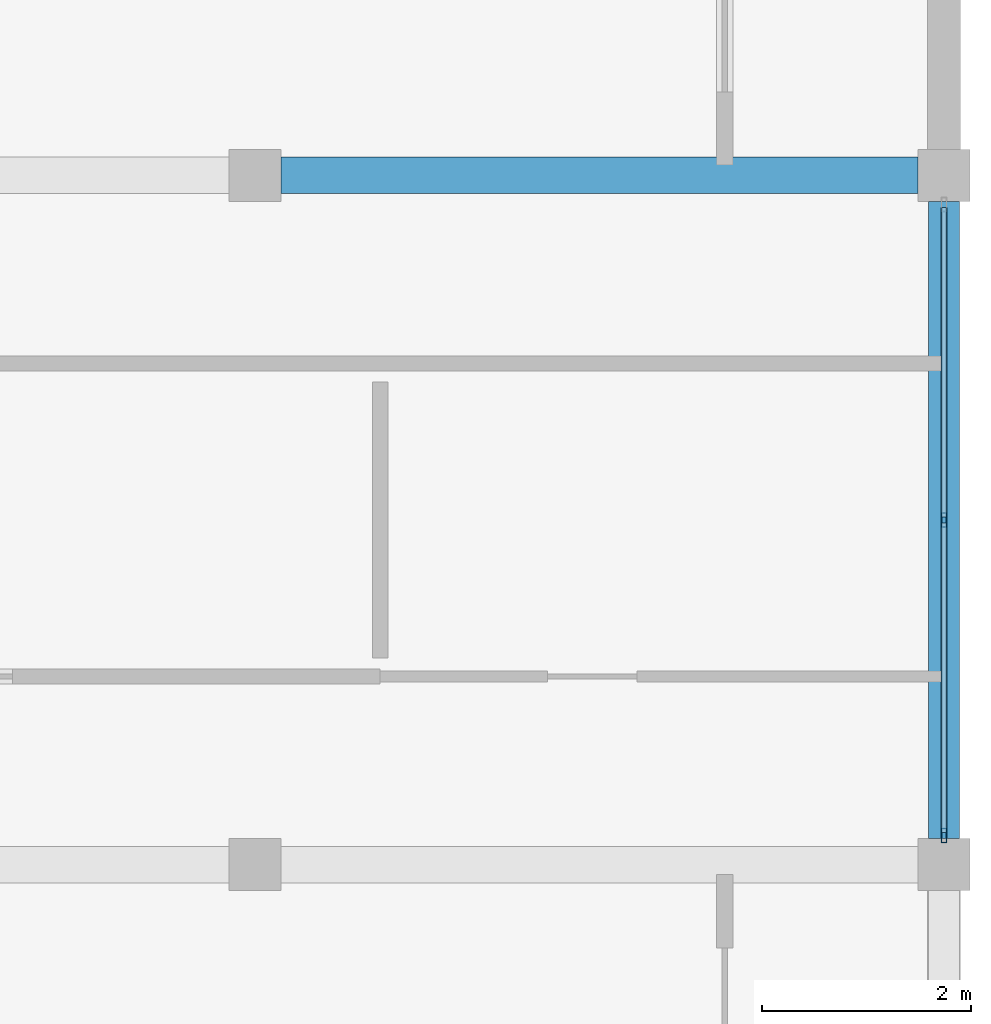
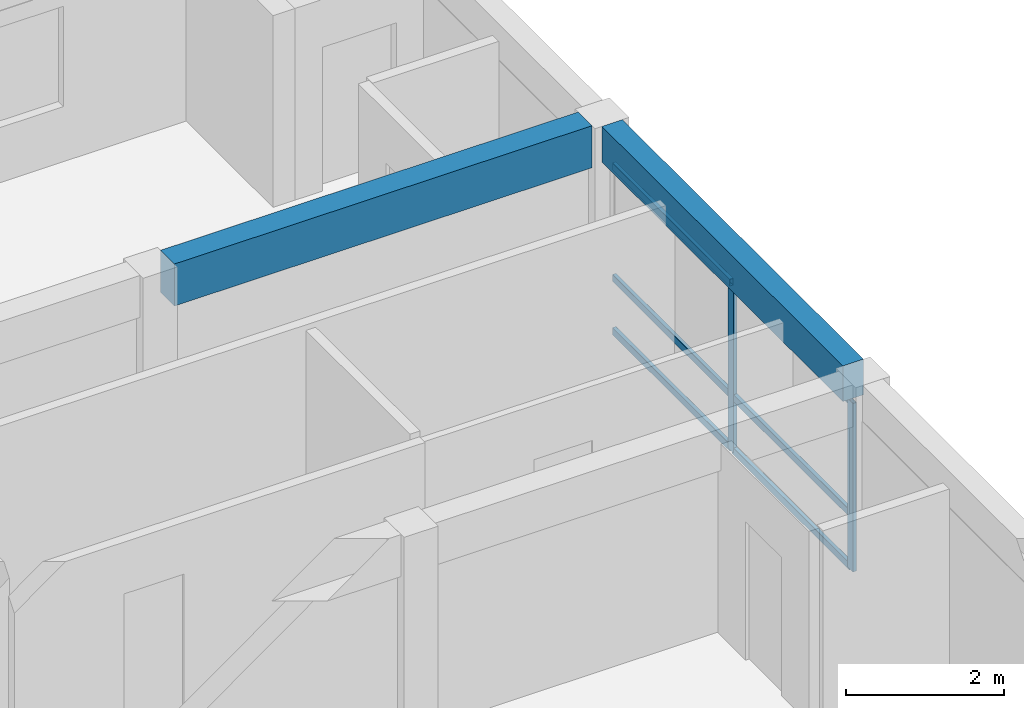
# One storey, part 23 of 53: 8 members, 2 beams, 1 element without a shape of its own.
"""IFC4 building model written with IfcOpenShell, lengths in metres."""

import ifcopenshell
import ifcopenshell.guid

model = None  # the IFC model being written
_history = None  # IfcOwnerHistory: only IFC2X3 demands one
_inside = {}  # id of a spatial element -> (the spatial element, [elements in it])
_under = {}  # id of a project, library or spatial element -> (it, [spatial elements below it])
_declared = {}  # id of a project -> (the project, [libraries it declares])
_typed = {}  # id of a type object -> (the type object, [elements of that type])
_made_of = {}  # id of a material, layer set ... -> (it, [elements and type objects made of it])


def new_model(schema):
    """Start an empty IFC model of exactly this schema.

    Asked for "IFC4X3", IfcOpenShell would pick the latest addendum, in which some entities
    have other attributes; the version numbers below select the first issue.
    IFC2X3 requires an IfcOwnerHistory on every rooted entity: one is made here for all.
    """
    global model, _history
    if schema == "IFC4X3":
        model = ifcopenshell.file(schema_version=(4, 3, 0, 0))
    else:
        model = ifcopenshell.file(schema=schema)
    _inside.clear()
    _under.clear()
    _declared.clear()
    _typed.clear()
    _made_of.clear()
    _history = None
    if model.schema == "IFC2X3":
        org = make("IfcOrganization", Name="unknown")
        user = make(
            "IfcPersonAndOrganization",
            ThePerson=make("IfcPerson", FamilyName="unknown"),
            TheOrganization=org,
        )
        app = make(
            "IfcApplication",
            ApplicationDeveloper=org,
            Version="unknown",
            ApplicationFullName="unknown",
            ApplicationIdentifier="unknown",
        )
        _history = make(
            "IfcOwnerHistory",
            OwningUser=user,
            OwningApplication=app,
            ChangeAction="ADDED",
            CreationDate=0,
        )
    return model


def make(cls, **values):
    """One entity of the class cls with the attributes given. An attribute that is None is left unset."""
    return model.create_entity(
        cls, **{name: value for name, value in values.items() if value is not None}
    )


def rooted(cls, **values):
    """An entity with a GlobalId (a new one), such as an element, a storey or a relation."""
    return make(cls, GlobalId=ifcopenshell.guid.new(), OwnerHistory=_history, **values)


def si_unit(unit_type, name, prefix=None):
    """IfcSIUnit, for example si_unit("LENGTHUNIT", "METRE", prefix="MILLI")."""
    return make("IfcSIUnit", UnitType=unit_type, Prefix=prefix, Name=name)


def assignment(units):
    """IfcUnitAssignment: the units of a project."""
    return None if units is None else make("IfcUnitAssignment", Units=units)


def point(xyz):
    """IfcCartesianPoint."""
    return None if xyz is None else make("IfcCartesianPoint", Coordinates=xyz)


def direction(xyz):
    """IfcDirection."""
    return None if xyz is None else make("IfcDirection", DirectionRatios=xyz)


def frame(location, z_axis=None, x_axis=None):
    """IfcAxis2Placement3D, a coordinate frame: its origin and axes. An axis left out is left unset."""
    return make(
        "IfcAxis2Placement3D",
        Location=point(location),
        Axis=direction(z_axis),
        RefDirection=direction(x_axis),
    )


def frame_2d(location, x_axis=None):
    """IfcAxis2Placement2D, a coordinate frame in the plane: its origin and x axis."""
    return make(
        "IfcAxis2Placement2D", Location=point(location), RefDirection=direction(x_axis)
    )


def origin():
    """The frame at (0, 0, 0) with its axes left unset."""
    return frame((0.0, 0.0, 0.0))


def origin_2d():
    """The frame at (0, 0) in the plane with its x axis left unset."""
    return frame_2d((0.0, 0.0))


def place(relative_to, where):
    """IfcLocalPlacement: puts the frame where relative to a parent placement (None: the world)."""
    return make(
        "IfcLocalPlacement", PlacementRelTo=relative_to, RelativePlacement=where
    )


def context(
    kind, dimensions, precision=None, world=None, true_north=None, identifier=None
):
    """IfcGeometricRepresentationContext, for example the 3D "Model" context."""
    return make(
        "IfcGeometricRepresentationContext",
        ContextIdentifier=identifier,
        ContextType=kind,
        CoordinateSpaceDimension=dimensions,
        Precision=precision,
        WorldCoordinateSystem=world,
        TrueNorth=true_north,
    )


def subcontext(parent, identifier, kind, view, scale=None):
    """IfcGeometricRepresentationSubContext, for example "Body" below "Model"."""
    return make(
        "IfcGeometricRepresentationSubContext",
        ContextIdentifier=identifier,
        ContextType=kind,
        ParentContext=parent,
        TargetScale=scale,
        TargetView=view,
    )


def project(units=None, contexts=None):
    """IfcProject with its units and contexts."""
    return rooted(
        "IfcProject",
        Name="project",
        RepresentationContexts=contexts,
        UnitsInContext=assignment(units),
    )


def spatial(cls, under=None, at=None, **own):
    """A site, building, storey or space (cls), placed at a placement, below another one or the project."""
    s = rooted(cls, ObjectPlacement=at, **own)
    if under is not None:
        _under.setdefault(under.id(), (under, []))[1].append(s)
    return s


def profile(cls, at=None, kind="AREA", **sizes):
    """A parametric profile (cls). Its sizes go by their IFC names, for example OverallWidth=200.0."""
    return make(cls, ProfileType=kind, Position=at, **sizes)


def rectangle(**sizes):
    """IfcRectangleProfileDef."""
    return profile("IfcRectangleProfileDef", **sizes)


def hollow_rectangle(**sizes):
    """IfcRectangleHollowProfileDef."""
    return profile("IfcRectangleHollowProfileDef", **sizes)


def extrude(swept, where, along, depth):
    """IfcExtrudedAreaSolid: the profile swept, set in the frame where, extruded along a direction by depth."""
    return make(
        "IfcExtrudedAreaSolid",
        SweptArea=swept,
        Position=where,
        ExtrudedDirection=direction(along),
        Depth=depth,
    )


def shape(context_of_items, identifier, shape_type, items):
    """IfcShapeRepresentation: the items that make up one representation, for example the "Body"."""
    return make(
        "IfcShapeRepresentation",
        ContextOfItems=context_of_items,
        RepresentationIdentifier=identifier,
        RepresentationType=shape_type,
        Items=items,
    )


def material(Name=None, Category=None):
    """IfcMaterial."""
    return make("IfcMaterial", Name=Name, Category=Category)


def material_profile(
    of_material, cross_section, Name=None, Category=None, Priority=None
):
    """IfcMaterialProfile: a cross section and its material."""
    return make(
        "IfcMaterialProfile",
        Name=Name,
        Material=of_material,
        Profile=cross_section,
        Priority=Priority,
        Category=Category,
    )


def profile_set(profiles, Name=None, composite=None):
    """IfcMaterialProfileSet."""
    return make(
        "IfcMaterialProfileSet",
        Name=Name,
        MaterialProfiles=profiles,
        CompositeProfile=composite,
    )


def made_of(thing, what):
    """Note that an element or type object is made of a material, layer set ...; save() writes the relation."""
    if what is not None:
        _made_of.setdefault(what.id(), (what, []))[1].append(thing)
    return thing


def type_object(cls, material=None, **own):
    """A type object (cls), such as IfcWallType, which elements share."""
    return made_of(rooted(cls, **own), material)


def element(
    cls,
    number,
    at=None,
    inside=None,
    cuts=None,
    type_object=None,
    material=None,
    context=None,
    identifier="Body",
    shape_type=None,
    held_by="IfcProductDefinitionShape",
    body=None,
    shapes=None,
    **own,
):
    """One element of the class cls, such as IfcWall. Its Tag is "e" and its number.

    at: its placement. inside: the storey or other place that contains it. cuts: it is an
    opening in that element (IfcRelVoidsElement). A single representation is given by context,
    identifier, shape_type and body (its items); several are given by shapes. held_by: the class
    of the entity that holds the representations. save() writes the other relations.
    """
    e = rooted(cls, Tag="e%d" % number, ObjectPlacement=at, **own)
    if body is not None:
        shapes = [shape(context, identifier, shape_type, body)]
    if shapes is not None:
        e.Representation = make(held_by, Representations=shapes)
    if inside is not None:
        _inside.setdefault(inside.id(), (inside, []))[1].append(e)
    if cuts is not None:
        rooted(
            "IfcRelVoidsElement", RelatingBuildingElement=cuts, RelatedOpeningElement=e
        )
    if type_object is not None:
        _typed.setdefault(type_object.id(), (type_object, []))[1].append(e)
    return made_of(e, material)


def aggregate(whole, parts):
    """IfcRelAggregates: a whole, such as a stair, and the parts it consists of."""
    return rooted("IfcRelAggregates", RelatingObject=whole, RelatedObjects=parts)


def save(model, path):
    """Write the relations noted so far, then the file.

    IfcRelAggregates (storeys below a building ...), IfcRelContainedInSpatialStructure (elements
    in a storey), IfcRelDefinesByType, IfcRelAssociatesMaterial and IfcRelDeclares: one each for
    every whole, place, type object, material and project.
    """
    for whole, parts in _under.values():
        aggregate(whole, parts)
    for where, things in _inside.values():
        rooted(
            "IfcRelContainedInSpatialStructure",
            RelatedElements=things,
            RelatingStructure=where,
        )
    for kind, things in _typed.values():
        rooted("IfcRelDefinesByType", RelatedObjects=things, RelatingType=kind)
    for what, things in _made_of.values():
        rooted("IfcRelAssociatesMaterial", RelatedObjects=things, RelatingMaterial=what)
    for by, libraries in _declared.values():
        rooted("IfcRelDeclares", RelatingContext=by, RelatedDefinitions=libraries)
    model.write(path)


model = new_model("IFC4")

# Units and contexts
model_context = context("Model", 3, precision=1e-05, world=origin(), true_north=direction((0.0, 1.0)))
body_context = subcontext(model_context, "Body", "Model", "MODEL_VIEW")
ifc_project = project(units=[si_unit("LENGTHUNIT", "METRE"), si_unit("AREAUNIT", "SQUARE_METRE"), si_unit("VOLUMEUNIT", "CUBIC_METRE"), si_unit("PLANEANGLEUNIT", "RADIAN"), si_unit("MASSUNIT", "GRAM", prefix="KILO")], contexts=[model_context])

# Site, building, storey
site_placement = place(None, origin())
site = spatial("IfcSite", under=ifc_project, at=site_placement, CompositionType="ELEMENT")
building_placement = place(site_placement, origin())
building = spatial("IfcBuilding", under=site, at=building_placement, Name="Kernevlak Ridge Housing Community", CompositionType="ELEMENT")
storey_placement = place(building_placement, frame((0.0, 0.0, 18.0)))
storey = spatial("IfcBuildingStorey", under=building, at=storey_placement, Name="L05", CompositionType="ELEMENT", Elevation=18.0)

# Beam
ifc_material_1 = material(Name="Concrete C35/45", Category="concrete")
ifc_material_profile_1 = material_profile(ifc_material_1, rectangle(XDim=0.35009765625, YDim=0.64990234375, at=origin_2d()), Name="RC 350x650")
ifc_profile_set_1 = profile_set([ifc_material_profile_1], Name="Concrete C35/45")
beam_type_1 = type_object("IfcBeamType", Name="B-02", PredefinedType="BEAM", material=ifc_profile_set_1)
beam_1_placement = place(storey_placement, frame((146.050048828125, 95.800048828125, 2.875), z_axis=(1.0, 0.0, 0.0), x_axis=(0.0, 1.0, 0.0)))
element("IfcBeam", 1, at=beam_1_placement, inside=storey, type_object=beam_type_1, Name="Beam B-02 L05 721", PredefinedType="BEAM", context=body_context, shape_type="SweptSolid", body=[
    extrude(rectangle(XDim=0.35009765625, YDim=0.64990234375, at=origin_2d()), origin(), (0.0, 0.0, 1.0), 6.099853515625),
])

# Curtain wall, members
ifc_material_2 = material(Name="Aluminium EN AW-6060 anodised and laminated glass", Category="aluminium")
curtain_wall_type = type_object("IfcCurtainWallType", Name="CW-13", PredefinedType="NOTDEFINED", material=ifc_material_2)
curtain_wall_placement = place(storey_placement, origin())
curtain_wall = element("IfcCurtainWall", 2, at=curtain_wall_placement, inside=storey, type_object=curtain_wall_type, Name="Curtain wall CW-13 CW-L05-072", PredefinedType="NOTDEFINED")
ifc_material_3 = material(Name="Aluminium EN AW-6060 anodised", Category="aluminium")
ifc_material_profile_2 = material_profile(ifc_material_3, hollow_rectangle(XDim=0.054931640625, YDim=0.139892578125, WallThickness=0.00390625, InnerFilletRadius=0.001953125, OuterFilletRadius=0.00390625, at=origin_2d()), Name="ALU 55x140x4")
ifc_profile_set_2 = profile_set([ifc_material_profile_2], Name="Aluminium EN AW-6060 anodised")
member_type_1 = type_object("IfcMemberType", Name="MU-01", PredefinedType="MULLION", material=ifc_profile_set_2)
member_1_placement = place(storey_placement, frame((152.39990234375, 89.4775390625, 0.0), z_axis=(0.0, 0.0, 1.0), x_axis=(-1.0, 0.0, 0.0)))
member_1 = element("IfcMember", 3, at=member_1_placement, type_object=member_type_1, Name="CW-13 mullion 1", PredefinedType="MULLION", context=body_context, shape_type="SweptSolid", body=[
    extrude(hollow_rectangle(XDim=0.054931640625, YDim=0.139892578125, WallThickness=0.00390625, InnerFilletRadius=0.001953125, OuterFilletRadius=0.00390625, at=origin_2d()), origin(), (0.0, 0.0, 1.0), 2.60009765625),
])
member_2_placement = place(storey_placement, frame((152.39990234375, 92.5, 0.0), z_axis=(0.0, 0.0, 1.0), x_axis=(-1.0, 0.0, 0.0)))
member_2 = element("IfcMember", 4, at=member_2_placement, type_object=member_type_1, Name="CW-13 mullion 2", PredefinedType="MULLION", context=body_context, shape_type="SweptSolid", body=[
    extrude(hollow_rectangle(XDim=0.054931640625, YDim=0.139892578125, WallThickness=0.00390625, InnerFilletRadius=0.001953125, OuterFilletRadius=0.00390625, at=origin_2d()), origin(), (0.0, 0.0, 1.0), 2.60009765625),
])

# Beam
ifc_material_profile_3 = material_profile(ifc_material_1, rectangle(XDim=0.300048828125, YDim=0.550048828125, at=origin_2d()), Name="RC 300x550")
ifc_profile_set_3 = profile_set([ifc_material_profile_3], Name="Concrete C35/45")
beam_type_2 = type_object("IfcBeamType", Name="SP-01", PredefinedType="SPANDREL", material=ifc_profile_set_3)
beam_2_placement = place(storey_placement, frame((152.39990234375, 89.449951171875, 2.925048828125), z_axis=(0.0, 1.0, 0.0), x_axis=(-1.0, 0.0, 0.0)))
element("IfcBeam", 5, at=beam_2_placement, inside=storey, type_object=beam_type_2, Name="Beam SP-01 L05 731", PredefinedType="SPANDREL", context=body_context, shape_type="SweptSolid", body=[
    extrude(rectangle(XDim=0.300048828125, YDim=0.550048828125, at=origin_2d()), origin(), (0.0, 0.0, 1.0), 6.10009765625),
])

# Member
ifc_material_profile_4 = material_profile(ifc_material_3, hollow_rectangle(XDim=0.054931640625, YDim=0.110107421875, WallThickness=0.00390625, InnerFilletRadius=0.001953125, OuterFilletRadius=0.00390625, at=origin_2d()), Name="ALU 55x110x4")
ifc_profile_set_4 = profile_set([ifc_material_profile_4], Name="Aluminium EN AW-6060 anodised")
member_type_2 = type_object("IfcMemberType", Name="TM-01", PredefinedType="USERDEFINED", material=ifc_profile_set_4)
member_3_placement = place(storey_placement, frame((152.39990234375, 89.5048828125, 0.027587890625), z_axis=(0.0, 1.0, 0.0), x_axis=(-1.0, 0.0, 0.0)))
member_3 = element("IfcMember", 6, at=member_3_placement, type_object=member_type_2, Name="CW-13 transom 1.1", ObjectType="TRANSOM", PredefinedType="USERDEFINED", context=body_context, shape_type="SweptSolid", body=[
    extrude(hollow_rectangle(XDim=0.054931640625, YDim=0.110107421875, WallThickness=0.00390625, InnerFilletRadius=0.001953125, OuterFilletRadius=0.00390625, at=origin_2d()), origin(), (0.0, 0.0, 1.0), 2.967529296875),
])

member_4_placement = place(storey_placement, frame((152.39990234375, 89.5048828125, 0.85009765625), z_axis=(0.0, 1.0, 0.0), x_axis=(-1.0, 0.0, 0.0)))
member_4 = element("IfcMember", 7, at=member_4_placement, type_object=member_type_2, Name="CW-13 transom 1.2", ObjectType="TRANSOM", PredefinedType="USERDEFINED", context=body_context, shape_type="SweptSolid", body=[
    extrude(hollow_rectangle(XDim=0.054931640625, YDim=0.110107421875, WallThickness=0.00390625, InnerFilletRadius=0.001953125, OuterFilletRadius=0.00390625, at=origin_2d()), origin(), (0.0, 0.0, 1.0), 2.967529296875),
])

member_5_placement = place(storey_placement, frame((152.39990234375, 89.5048828125, 2.572509765625), z_axis=(0.0, 1.0, 0.0), x_axis=(-1.0, 0.0, 0.0)))
member_5 = element("IfcMember", 8, at=member_5_placement, type_object=member_type_2, Name="CW-13 transom 1.3", ObjectType="TRANSOM", PredefinedType="USERDEFINED", context=body_context, shape_type="SweptSolid", body=[
    extrude(hollow_rectangle(XDim=0.054931640625, YDim=0.110107421875, WallThickness=0.00390625, InnerFilletRadius=0.001953125, OuterFilletRadius=0.00390625, at=origin_2d()), origin(), (0.0, 0.0, 1.0), 2.967529296875),
])

member_6_placement = place(storey_placement, frame((152.39990234375, 92.527587890625, 0.027587890625), z_axis=(0.0, 1.0, 0.0), x_axis=(-1.0, 0.0, 0.0)))
member_6 = element("IfcMember", 9, at=member_6_placement, type_object=member_type_2, Name="CW-13 transom 2.1", ObjectType="TRANSOM", PredefinedType="USERDEFINED", context=body_context, shape_type="SweptSolid", body=[
    extrude(hollow_rectangle(XDim=0.054931640625, YDim=0.110107421875, WallThickness=0.00390625, InnerFilletRadius=0.001953125, OuterFilletRadius=0.00390625, at=origin_2d()), origin(), (0.0, 0.0, 1.0), 2.967529296875),
])

member_7_placement = place(storey_placement, frame((152.39990234375, 92.527587890625, 0.85009765625), z_axis=(0.0, 1.0, 0.0), x_axis=(-1.0, 0.0, 0.0)))
member_7 = element("IfcMember", 10, at=member_7_placement, type_object=member_type_2, Name="CW-13 transom 2.2", ObjectType="TRANSOM", PredefinedType="USERDEFINED", context=body_context, shape_type="SweptSolid", body=[
    extrude(hollow_rectangle(XDim=0.054931640625, YDim=0.110107421875, WallThickness=0.00390625, InnerFilletRadius=0.001953125, OuterFilletRadius=0.00390625, at=origin_2d()), origin(), (0.0, 0.0, 1.0), 2.967529296875),
])

member_8_placement = place(storey_placement, frame((152.39990234375, 92.527587890625, 2.572509765625), z_axis=(0.0, 1.0, 0.0), x_axis=(-1.0, 0.0, 0.0)))
member_8 = element("IfcMember", 11, at=member_8_placement, type_object=member_type_2, Name="CW-13 transom 2.3", ObjectType="TRANSOM", PredefinedType="USERDEFINED", context=body_context, shape_type="SweptSolid", body=[
    extrude(hollow_rectangle(XDim=0.054931640625, YDim=0.110107421875, WallThickness=0.00390625, InnerFilletRadius=0.001953125, OuterFilletRadius=0.00390625, at=origin_2d()), origin(), (0.0, 0.0, 1.0), 2.967529296875),
])

aggregate(curtain_wall, [member_1, member_2, member_3, member_4, member_5, member_6, member_7, member_8])

save(model, "model.ifc")
